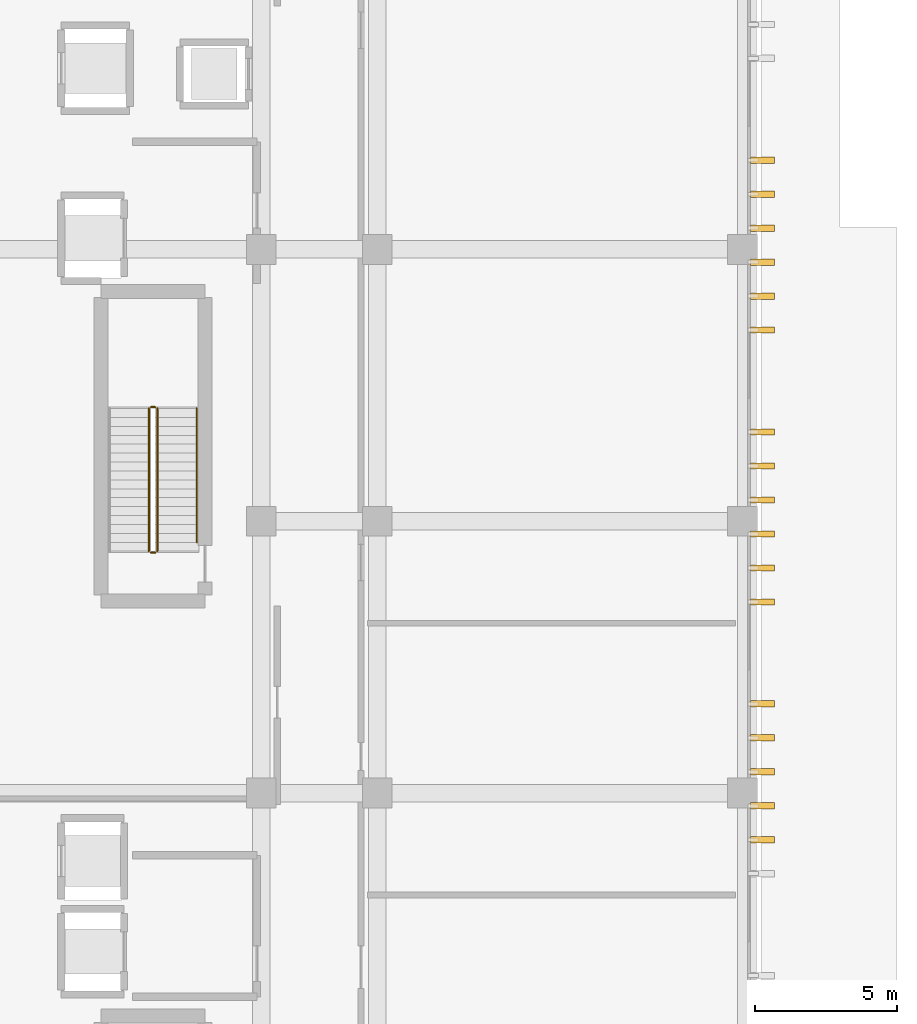
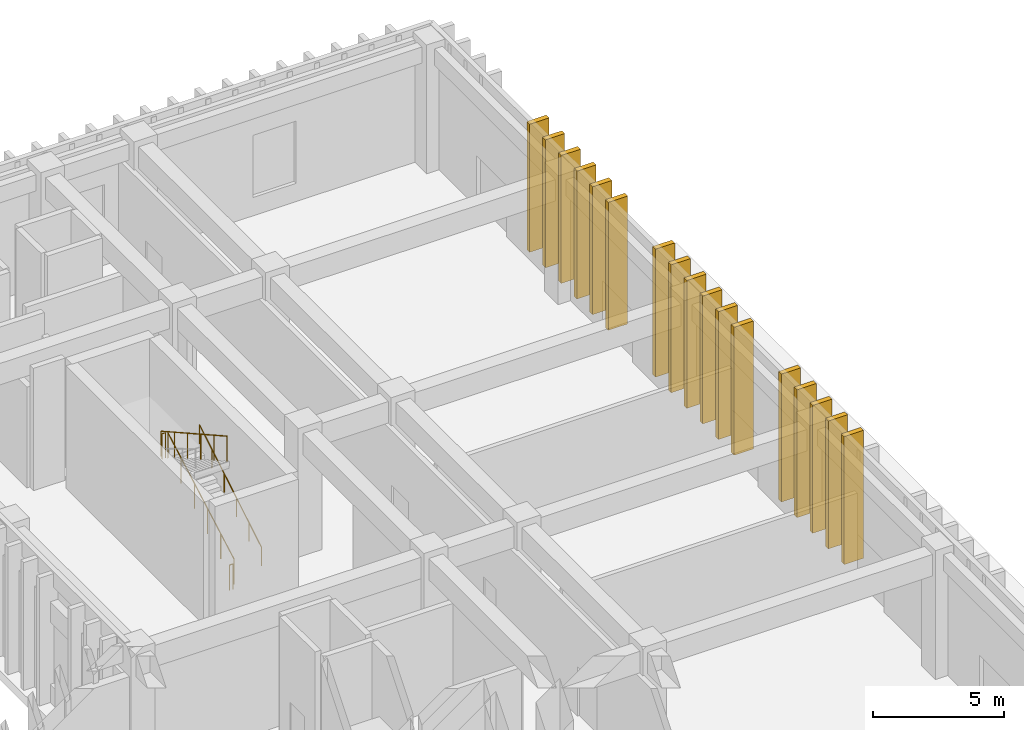
# One storey, part 83 of 87: 17 coverings, 17 shading devices, 5 railings.
"""IFC4 building model written with IfcOpenShell, lengths in metres."""

from ifc_helpers import new_model, si_unit, direction, frame, origin, origin_2d, place, context, subcontext, project, spatial, rectangle, circle, extrude, material, layer, layer_set, type_object, element, save


model = new_model("IFC4")

# Units and contexts
model_context = context("Model", 3, precision=1e-05, world=origin(), true_north=direction((0.0, 1.0)))
body_context = subcontext(model_context, "Body", "Model", "MODEL_VIEW")
ifc_project = project(units=[si_unit("LENGTHUNIT", "METRE"), si_unit("AREAUNIT", "SQUARE_METRE"), si_unit("VOLUMEUNIT", "CUBIC_METRE"), si_unit("PLANEANGLEUNIT", "RADIAN"), si_unit("MASSUNIT", "GRAM", prefix="KILO")], contexts=[model_context])

# Site, building, storey
site_placement = place(None, origin())
site = spatial("IfcSite", under=ifc_project, at=site_placement, CompositionType="ELEMENT")
building_placement = place(site_placement, origin())
building = spatial("IfcBuilding", under=site, at=building_placement, Name="Nakhvara Creek Congress Hotel", CompositionType="ELEMENT")
storey_placement = place(building_placement, origin())
storey = spatial("IfcBuildingStorey", under=building, at=storey_placement, Name="L00", CompositionType="ELEMENT", Elevation=0.0)

# Coverings
ifc_material_1 = material(Name="Honed pale Omani limestone architectural cladding", Category="masonry")
ifc_layer = layer(ifc_material_1, 0.219970703125)
ifc_layer_set = layer_set([ifc_layer], Name="Honed pale Omani limestone architectural cladding")
covering_type = type_object("IfcCoveringType", Name="COV-FIN-850", PredefinedType="CLADDING", material=ifc_layer_set)
for number, where, z_axis, x_axis, name in (
    (1, (180.054931640625, 94.35009765625, 0.0), (0.0, 0.0, 1.0), (0.0, 1.0, 0.0), "Pale Limestone Fin Cladding CF01-0591"),
    (2, (180.054931640625, 95.550048828125, 0.0), (0.0, 0.0, 1.0), (0.0, 1.0, 0.0), "Pale Limestone Fin Cladding CF01-0592"),
    (3, (180.054931640625, 96.75, 0.0), (0.0, 0.0, 1.0), (0.0, 1.0, 0.0), "Pale Limestone Fin Cladding CF01-0593"),
    (4, (180.054931640625, 97.949951171875, 0.0), (0.0, 0.0, 1.0), (0.0, 1.0, 0.0), "Pale Limestone Fin Cladding CF01-0595"),
    (5, (180.054931640625, 99.14990234375, 0.0), (0.0, 0.0, 1.0), (0.0, 1.0, 0.0), "Pale Limestone Fin Cladding CF01-0597"),
    (6, (180.054931640625, 102.75, 0.0), (0.0, 0.0, 1.0), (0.0, 1.0, 0.0), "Pale Limestone Fin Cladding CF01-0600"),
    (7, (180.054931640625, 103.949951171875, 0.0), (0.0, 0.0, 1.0), (0.0, 1.0, 0.0), "Pale Limestone Fin Cladding CF01-0602"),
    (8, (180.054931640625, 105.14990234375, 0.0), (0.0, 0.0, 1.0), (0.0, 1.0, 0.0), "Pale Limestone Fin Cladding CF01-0604"),
    (9, (180.054931640625, 106.35009765625, 0.0), (0.0, 0.0, 1.0), (0.0, 1.0, 0.0), "Pale Limestone Fin Cladding CF01-0606"),
    (10, (180.054931640625, 107.550048828125, 0.0), (0.0, 0.0, 1.0), (0.0, 1.0, 0.0), "Pale Limestone Fin Cladding CF01-0608"),
    (11, (180.054931640625, 108.75, 0.0), (0.0, 0.0, 1.0), (0.0, 1.0, 0.0), "Pale Limestone Fin Cladding CF01-0610"),
    (12, (180.054931640625, 112.35009765625, 0.0), (0.0, 0.0, 1.0), (0.0, 1.0, 0.0), "Pale Limestone Fin Cladding CF01-0613"),
    (13, (180.054931640625, 113.550048828125, 0.0), (0.0, 0.0, 1.0), (0.0, 1.0, 0.0), "Pale Limestone Fin Cladding CF01-0615"),
    (14, (180.054931640625, 114.75, 0.0), (0.0, 0.0, 1.0), (0.0, 1.0, 0.0), "Pale Limestone Fin Cladding CF01-0617"),
    (15, (180.054931640625, 115.949951171875, 0.0), (0.0, 0.0, 1.0), (0.0, 1.0, 0.0), "Pale Limestone Fin Cladding CF01-0619"),
    (16, (180.054931640625, 117.14990234375, 0.0), (0.0, 0.0, 1.0), (0.0, 1.0, 0.0), "Pale Limestone Fin Cladding CF01-0621"),
    (17, (180.054931640625, 118.35009765625, 0.0), (0.0, 0.0, 1.0), (0.0, 1.0, 0.0), "Pale Limestone Fin Cladding CF01-0623"),
):
    element("IfcCovering", number, at=place(storey_placement, frame(where, z_axis=z_axis, x_axis=x_axis)), inside=storey, type_object=covering_type, Name=name, PredefinedType="CLADDING", context=body_context, shape_type="SweptSolid", body=[
        extrude(rectangle(XDim=0.219970703125, YDim=0.85009765625, at=origin_2d()), origin(), (0.0, 0.0, 1.0), 5.9599609375),
    ])

# Railings
ifc_material_2 = material(Name="Brushed stainless steel 316L", Category="steel")
railing_type_1 = type_object("IfcRailingType", Name="RL-GUARD-1200", PredefinedType="GUARDRAIL", material=ifc_material_2)
railing_1_placement = place(storey_placement, frame((158.68505859375, 104.5400390625, 0.176513671875)))
element("IfcRailing", 18, at=railing_1_placement, inside=storey, type_object=railing_type_1, Name="L00 ST02 stair guard 1", PredefinedType="GUARDRAIL", context=body_context, shape_type="SweptSolid", body=[
    extrude(circle(Radius=0.02392578125, at=origin_2d()), frame((0.0, 0.012939453125, 1.18310546875), z_axis=(0.0, 0.872427454555, 0.488743630688), x_axis=(-1.0, 0.0, 0.0)), (0.0, 0.0, 1.0), 5.74755859375),
    extrude(circle(Radius=0.02099609375, at=origin_2d()), origin(), (0.0, 0.0, 1.0), 1.1806640625),
    extrude(circle(Radius=0.02099609375, at=origin_2d()), frame((0.0, 1.008056640625, 0.564697265625)), (0.0, 0.0, 1.0), 1.1806640625),
    extrude(circle(Radius=0.02099609375, at=origin_2d()), frame((0.0, 2.01611328125, 1.12939453125)), (0.0, 0.0, 1.0), 1.1806640625),
    extrude(circle(Radius=0.02099609375, at=origin_2d()), frame((0.0, 3.02392578125, 1.694091796875)), (0.0, 0.0, 1.0), 1.1806640625),
    extrude(circle(Radius=0.02099609375, at=origin_2d()), frame((0.0, 4.031982421875, 2.2587890625)), (0.0, 0.0, 1.0), 1.1806640625),
    extrude(circle(Radius=0.02099609375, at=origin_2d()), frame((0.0, 5.0400390625, 2.823486328125)), (0.0, 0.0, 1.0), 1.1806640625),
])
railing_2_placement = place(storey_placement, frame((158.610107421875, 109.6298828125, 3.0)))
element("IfcRailing", 19, at=railing_2_placement, inside=storey, type_object=railing_type_1, Name="L00 ST02 stair guard 2", PredefinedType="GUARDRAIL", context=body_context, shape_type="SweptSolid", body=[
    extrude(circle(Radius=0.02392578125, at=origin_2d()), frame((-0.0146484375, 0.0, 1.17578125), z_axis=(-1.0, 0.0, 0.0), x_axis=(0.0, -1.0, 0.0)), (0.0, 0.0, 1.0), 0.120849609375),
    extrude(circle(Radius=0.02099609375, at=origin_2d()), origin(), (0.0, 0.0, 1.0), 1.1806640625),
    extrude(circle(Radius=0.02099609375, at=origin_2d()), frame((-0.150146484375, 0.0, 0.0)), (0.0, 0.0, 1.0), 1.1806640625),
])
railing_3_placement = place(storey_placement, frame((158.385009765625, 109.580078125, 3.176513671875)))
element("IfcRailing", 20, at=railing_3_placement, inside=storey, type_object=railing_type_1, Name="L00 ST02 stair guard 3", PredefinedType="GUARDRAIL", context=body_context, shape_type="SweptSolid", body=[
    extrude(circle(Radius=0.02392578125, at=origin_2d()), frame((0.0, -0.012939453125, 1.18310546875), z_axis=(0.0, -0.872427454555, 0.488743630688), x_axis=(1.0, 0.0, 0.0)), (0.0, 0.0, 1.0), 5.74755859375),
    extrude(circle(Radius=0.02099609375, at=origin_2d()), origin(), (0.0, 0.0, 1.0), 1.1806640625),
    extrude(circle(Radius=0.02099609375, at=origin_2d()), frame((0.0, -1.008056640625, 0.564697265625)), (0.0, 0.0, 1.0), 1.1806640625),
    extrude(circle(Radius=0.02099609375, at=origin_2d()), frame((0.0, -2.01611328125, 1.12939453125)), (0.0, 0.0, 1.0), 1.1806640625),
    extrude(circle(Radius=0.02099609375, at=origin_2d()), frame((0.0, -3.02392578125, 1.694091796875)), (0.0, 0.0, 1.0), 1.1806640625),
    extrude(circle(Radius=0.02099609375, at=origin_2d()), frame((0.0, -4.031982421875, 2.2587890625)), (0.0, 0.0, 1.0), 1.1806640625),
    extrude(circle(Radius=0.02099609375, at=origin_2d()), frame((0.0, -5.0400390625, 2.823486328125)), (0.0, 0.0, 1.0), 1.1806640625),
])
railing_4_placement = place(storey_placement, frame((158.610107421875, 104.489990234375, 0.0)))
element("IfcRailing", 21, at=railing_4_placement, inside=storey, type_object=railing_type_1, Name="L00 ST02 stair guard 4", PredefinedType="GUARDRAIL", context=body_context, shape_type="SweptSolid", body=[
    extrude(circle(Radius=0.02392578125, at=origin_2d()), frame((-0.0146484375, 0.0, 1.17578125), z_axis=(-1.0, 0.0, 0.0), x_axis=(0.0, -1.0, 0.0)), (0.0, 0.0, 1.0), 0.120849609375),
    extrude(circle(Radius=0.02099609375, at=origin_2d()), origin(), (0.0, 0.0, 1.0), 1.1806640625),
    extrude(circle(Radius=0.02099609375, at=origin_2d()), frame((-0.150146484375, 0.0, 0.0)), (0.0, 0.0, 1.0), 1.1806640625),
])
railing_type_2 = type_object("IfcRailingType", Name="RL-HAND-900", PredefinedType="HANDRAIL", material=ifc_material_2)
railing_5_placement = place(storey_placement, frame((160.074951171875, 104.85498046875, 0.35302734375)))
element("IfcRailing", 22, at=railing_5_placement, inside=storey, type_object=railing_type_2, Name="L00 ST02 stair handrail 1", PredefinedType="HANDRAIL", context=body_context, shape_type="SweptSolid", body=[
    extrude(circle(Radius=0.02392578125, at=origin_2d()), frame((0.0, 0.0126953125, 0.88330078125), z_axis=(0.0, 0.857539836654, 0.514417562445), x_axis=(-1.0, 0.0, 0.0)), (0.0, 0.0, 1.0), 5.480712890625),
    extrude(circle(Radius=0.02099609375, at=origin_2d()), origin(), (0.0, 0.0, 1.0), 0.880615234375),
    extrude(circle(Radius=0.02099609375, at=origin_2d()), frame((0.0, 0.945068359375, 0.56689453125)), (0.0, 0.0, 1.0), 0.880615234375),
    extrude(circle(Radius=0.02099609375, at=origin_2d()), frame((0.0, 1.89013671875, 1.1337890625)), (0.0, 0.0, 1.0), 0.880615234375),
    extrude(circle(Radius=0.02099609375, at=origin_2d()), frame((0.0, 2.8349609375, 1.70068359375)), (0.0, 0.0, 1.0), 0.880615234375),
    extrude(circle(Radius=0.02099609375, at=origin_2d()), frame((0.0, 3.780029296875, 2.267578125)), (0.0, 0.0, 1.0), 0.880615234375),
    extrude(circle(Radius=0.02099609375, at=origin_2d()), frame((0.0, 4.72509765625, 2.83447265625)), (0.0, 0.0, 1.0), 0.880615234375),
])

# Shading devices
ifc_material_3 = material(Name="Honed pale Omani limestone cladding on stainless steel spine", Category="masonry")
shading_device_type = type_object("IfcShadingDeviceType", Name="SHD-FIN-850X5800", PredefinedType="USERDEFINED", material=ifc_material_3)
for number, where, z_axis, x_axis, name in (
    (23, (180.054931640625, 94.35009765625, 0.0), (0.0, 0.0, 1.0), (0.0, 1.0, 0.0), "Limestone Solar Fin FN03-0456"),
    (24, (180.054931640625, 95.550048828125, 0.0), (0.0, 0.0, 1.0), (0.0, 1.0, 0.0), "Limestone Solar Fin FN03-0457"),
    (25, (180.054931640625, 96.75, 0.0), (0.0, 0.0, 1.0), (0.0, 1.0, 0.0), "Limestone Solar Fin FN03-0458"),
    (26, (180.054931640625, 97.949951171875, 0.0), (0.0, 0.0, 1.0), (0.0, 1.0, 0.0), "Limestone Solar Fin FN03-0460"),
    (27, (180.054931640625, 99.14990234375, 0.0), (0.0, 0.0, 1.0), (0.0, 1.0, 0.0), "Limestone Solar Fin FN03-0462"),
    (28, (180.054931640625, 102.75, 0.0), (0.0, 0.0, 1.0), (0.0, 1.0, 0.0), "Limestone Solar Fin FN03-0465"),
    (29, (180.054931640625, 103.949951171875, 0.0), (0.0, 0.0, 1.0), (0.0, 1.0, 0.0), "Limestone Solar Fin FN03-0467"),
    (30, (180.054931640625, 105.14990234375, 0.0), (0.0, 0.0, 1.0), (0.0, 1.0, 0.0), "Limestone Solar Fin FN03-0469"),
    (31, (180.054931640625, 106.35009765625, 0.0), (0.0, 0.0, 1.0), (0.0, 1.0, 0.0), "Limestone Solar Fin FN03-0471"),
    (32, (180.054931640625, 107.550048828125, 0.0), (0.0, 0.0, 1.0), (0.0, 1.0, 0.0), "Limestone Solar Fin FN03-0473"),
    (33, (180.054931640625, 108.75, 0.0), (0.0, 0.0, 1.0), (0.0, 1.0, 0.0), "Limestone Solar Fin FN03-0475"),
    (34, (180.054931640625, 112.35009765625, 0.0), (0.0, 0.0, 1.0), (0.0, 1.0, 0.0), "Limestone Solar Fin FN03-0478"),
    (35, (180.054931640625, 113.550048828125, 0.0), (0.0, 0.0, 1.0), (0.0, 1.0, 0.0), "Limestone Solar Fin FN03-0480"),
    (36, (180.054931640625, 114.75, 0.0), (0.0, 0.0, 1.0), (0.0, 1.0, 0.0), "Limestone Solar Fin FN03-0482"),
    (37, (180.054931640625, 115.949951171875, 0.0), (0.0, 0.0, 1.0), (0.0, 1.0, 0.0), "Limestone Solar Fin FN03-0484"),
    (38, (180.054931640625, 117.14990234375, 0.0), (0.0, 0.0, 1.0), (0.0, 1.0, 0.0), "Limestone Solar Fin FN03-0486"),
    (39, (180.054931640625, 118.35009765625, 0.0), (0.0, 0.0, 1.0), (0.0, 1.0, 0.0), "Limestone Solar Fin FN03-0488"),
):
    element("IfcShadingDevice", number, at=place(storey_placement, frame(where, z_axis=z_axis, x_axis=x_axis)), inside=storey, type_object=shading_device_type, Name=name, ObjectType="FIN", PredefinedType="USERDEFINED", context=body_context, shape_type="SweptSolid", body=[
        extrude(rectangle(XDim=0.219970703125, YDim=0.85009765625, at=origin_2d()), origin(), (0.0, 0.0, 1.0), 5.9599609375),
    ])

save(model, "model.ifc")
